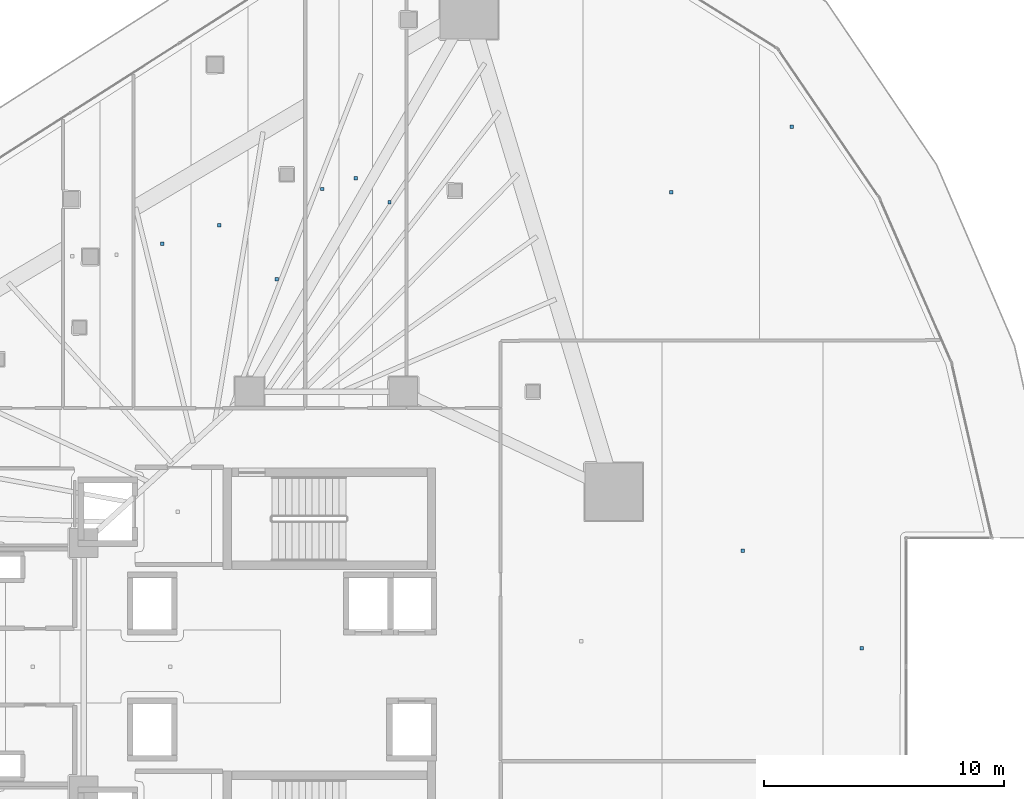
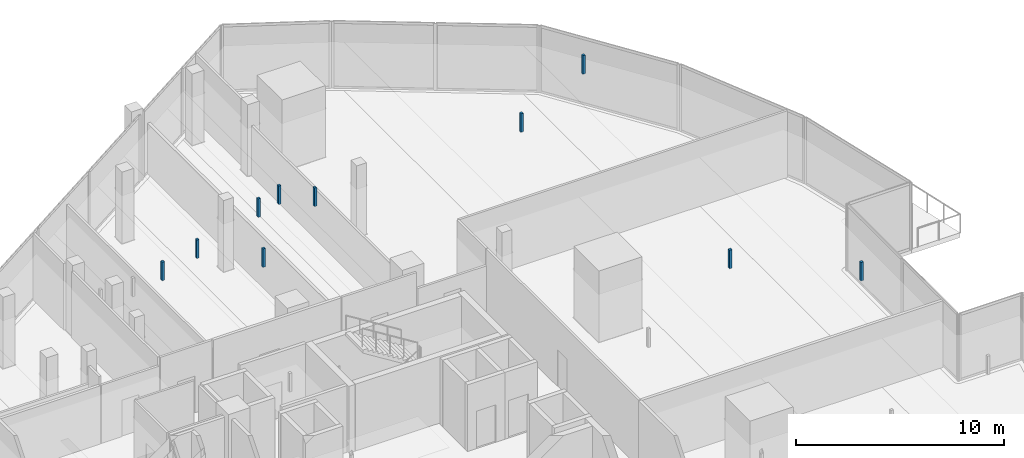
# One storey, part 35 of 44: 10 discrete accessories.
"""IFC4 building model written with IfcOpenShell, lengths in metres."""

from ifc_helpers import new_model, si_unit, direction, frame, origin, origin_2d, place, context, subcontext, project, spatial, rectangle, extrude, material, type_object, element, save


model = new_model("IFC4")

# Units and contexts
model_context = context("Model", 3, precision=1e-05, world=origin(), true_north=direction((0.0, 1.0)))
body_context = subcontext(model_context, "Body", "Model", "MODEL_VIEW")
ifc_project = project(units=[si_unit("LENGTHUNIT", "METRE"), si_unit("AREAUNIT", "SQUARE_METRE"), si_unit("VOLUMEUNIT", "CUBIC_METRE"), si_unit("PLANEANGLEUNIT", "RADIAN"), si_unit("MASSUNIT", "GRAM", prefix="KILO")], contexts=[model_context])

# Site, building, storey
site_placement = place(None, origin())
site = spatial("IfcSite", under=ifc_project, at=site_placement, CompositionType="ELEMENT")
building_placement = place(site_placement, origin())
building = spatial("IfcBuilding", under=site, at=building_placement, Name="Qorvath Tower", CompositionType="ELEMENT")
storey_placement = place(building_placement, frame((0.0, 0.0, 53.39990234375)))
storey = spatial("IfcBuildingStorey", under=building, at=storey_placement, Name="L11", CompositionType="ELEMENT", Elevation=53.39990234375)

# Discrete accessories
ifc_material = material(Name="Galvanised steel bracket", Category="steel")
discrete_accessory_type = type_object("IfcDiscreteAccessoryType", Name="DA-BRACKET", PredefinedType="BRACKET", material=ifc_material)
for number, where, z_axis, x_axis, name in (
    (1, (-27.23388671875, 17.6005859375, 2.85986328125), (0.0, 0.0, 1.0), (1.0, 0.0, 0.0), "Acoustic Ceiling Suspension Hanger T1-L11-015"),
    (2, (-24.853271484375, 18.383056640625, 2.85986328125), (0.0, 0.0, 1.0), (1.0, 0.0, 0.0), "Acoustic Ceiling Suspension Hanger T1-L11-016"),
    (3, (-22.472900390625, 16.135009765625, 2.85986328125), (0.0, 0.0, 1.0), (1.0, 0.0, 0.0), "Acoustic Ceiling Suspension Hanger T1-L11-017"),
    (4, (-20.567626953125, 19.887939453125, 2.85986328125), (0.0, 0.0, 1.0), (1.0, 0.0, 0.0), "Acoustic Ceiling Suspension Hanger T1-L11-018"),
    (5, (-19.170654296875, 20.33447265625, 2.85986328125), (0.0, 0.0, 1.0), (1.0, 0.0, 0.0), "Acoustic Ceiling Suspension Hanger T1-L11-019"),
    (6, (-17.77294921875, 19.3271484375, 2.85986328125), (0.0, 0.0, 1.0), (1.0, 0.0, 0.0), "Acoustic Ceiling Suspension Hanger T1-L11-020"),
    (7, (-6.04541015625, 19.7548828125, 2.85986328125), (0.0, 0.0, 1.0), (1.0, 0.0, 0.0), "Acoustic Ceiling Suspension Hanger T1-L11-022"),
    (8, (-1.026123046875, 22.48095703125, 2.85986328125), (0.0, 0.0, 1.0), (1.0, 0.0, 0.0), "Acoustic Ceiling Suspension Hanger T1-L11-023"),
    (9, (-3.071533203125, 4.81689453125, 2.85986328125), (0.0, 0.0, 1.0), (1.0, 0.0, 0.0), "Acoustic Ceiling Suspension Hanger T1-L11-039"),
    (10, (1.890625, 0.761962890625, 2.85986328125), (0.0, 0.0, 1.0), (1.0, 0.0, 0.0), "Acoustic Ceiling Suspension Hanger T1-L11-040"),
):
    element("IfcDiscreteAccessory", number, at=place(storey_placement, frame(where, z_axis=z_axis, x_axis=x_axis)), inside=storey, type_object=discrete_accessory_type, Name=name, PredefinedType="NOTDEFINED", context=body_context, shape_type="SweptSolid", body=[
        extrude(rectangle(XDim=0.139892578125, YDim=0.139892578125, at=origin_2d()), origin(), (0.0, 0.0, 1.0), 1.090087890625),
    ])

save(model, "model.ifc")
